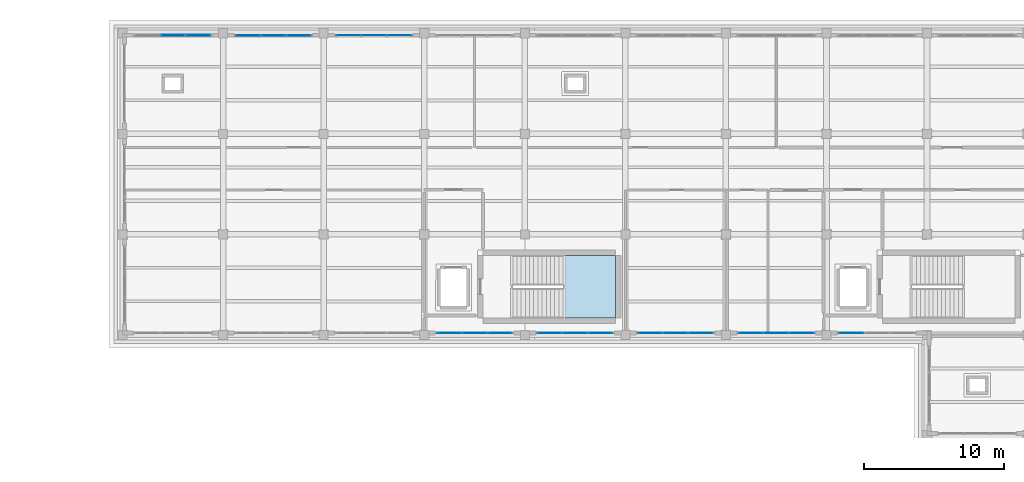
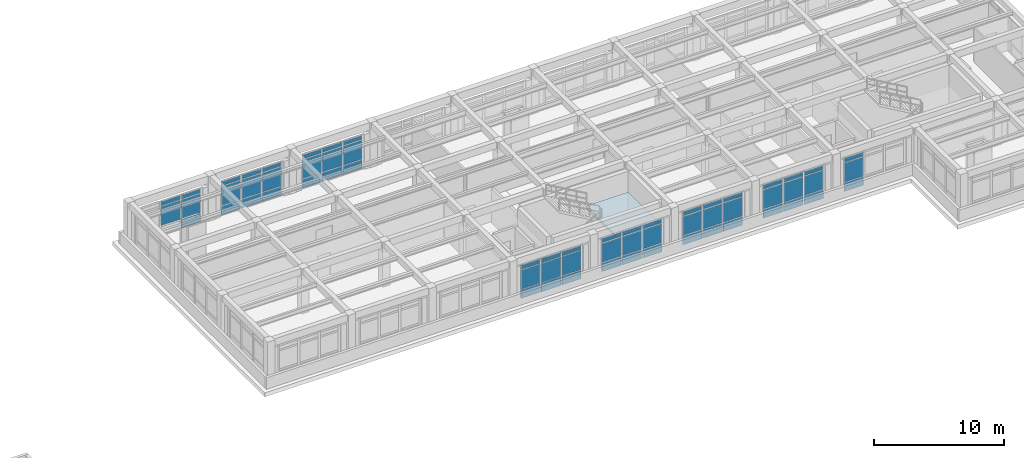
# One storey, part 39 of 55: 62 plates, 1 slab, 9 elements without a shape of their own.
"""IFC4 building model written with IfcOpenShell, lengths in metres."""

from ifc_helpers import new_model, si_unit, direction, frame, origin, origin_2d, place, context, subcontext, project, spatial, polyline, rectangle, outline, extrude, material, layer, layer_set, type_object, element, aggregate, save


model = new_model("IFC4")

# Units and contexts
model_context = context("Model", 3, precision=1e-05, world=origin(), true_north=direction((0.0, 1.0)))
body_context = subcontext(model_context, "Body", "Model", "MODEL_VIEW")
ifc_project = project(units=[si_unit("LENGTHUNIT", "METRE"), si_unit("AREAUNIT", "SQUARE_METRE"), si_unit("VOLUMEUNIT", "CUBIC_METRE"), si_unit("PLANEANGLEUNIT", "RADIAN"), si_unit("MASSUNIT", "GRAM", prefix="KILO")], contexts=[model_context])

# Site, building, storey
site_placement = place(None, origin())
site = spatial("IfcSite", under=ifc_project, at=site_placement, CompositionType="ELEMENT")
building_placement = place(site_placement, origin())
building = spatial("IfcBuilding", under=site, at=building_placement, Name="Solenvale Faculty of Natural Sciences", CompositionType="ELEMENT")
storey_placement = place(building_placement, frame((0.0, 0.0, 22.5)))
storey = spatial("IfcBuildingStorey", under=building, at=storey_placement, Name="L05", CompositionType="ELEMENT", Elevation=22.5)

# Curtain wall, plates
ifc_material_1 = material(Name="Anodised bronze aluminium", Category="aluminium")
ifc_layer_1 = layer(ifc_material_1, 0.179931640625)
ifc_layer_set_1 = layer_set([ifc_layer_1], Name="Anodised bronze aluminium")
curtain_wall_type = type_object("IfcCurtainWallType", Name="CW-TWR-MOD", PredefinedType="USERDEFINED", material=ifc_layer_set_1)
curtain_wall_1_placement = place(storey_placement, origin())
curtain_wall_1 = element("IfcCurtainWall", 1, at=curtain_wall_1_placement, inside=storey, type_object=curtain_wall_type, Name="L05 Curtain Wall CW-L05-P2-E5-B5", ObjectType="UNITISED CURTAIN WALL", PredefinedType="USERDEFINED")
ifc_material_2 = material(Name="North-light skylight glass", Category="glass")
ifc_layer_2 = layer(ifc_material_2, 0.028076171875)
ifc_layer_set_2 = layer_set([ifc_layer_2], Name="North-light skylight glass")
plate_type_1 = type_object("IfcPlateType", Name="CWP-PNL-28", PredefinedType="CURTAIN_PANEL", material=ifc_layer_set_2)
plate_1_placement = place(storey_placement, frame((109.785400390625, 93.742431640625, 0.074951171875), z_axis=(0.0, 0.0, 1.0), x_axis=(1.0, 0.0, 0.0)))
plate_1 = element("IfcPlate", 2, at=plate_1_placement, type_object=plate_type_1, Name="CW-04 panel 1.1", PredefinedType="CURTAIN_PANEL", context=body_context, shape_type="SweptSolid", body=[
    extrude(rectangle(XDim=1.720947265625, YDim=0.028076171875, at=origin_2d()), origin(), (0.0, 0.0, 1.0), 0.78759765625),
])
plate_2_placement = place(storey_placement, frame((109.785400390625, 93.742431640625, 0.9375), z_axis=(0.0, 0.0, 1.0), x_axis=(1.0, 0.0, 0.0)))
plate_2 = element("IfcPlate", 3, at=plate_2_placement, type_object=plate_type_1, Name="CW-04 panel 1.2", PredefinedType="CURTAIN_PANEL", context=body_context, shape_type="SweptSolid", body=[
    extrude(rectangle(XDim=1.720947265625, YDim=0.028076171875, at=origin_2d()), origin(), (0.0, 0.0, 1.0), 1.784912109375),
])
plate_3_placement = place(storey_placement, frame((109.785400390625, 93.742431640625, 2.79736328125), z_axis=(0.0, 0.0, 1.0), x_axis=(1.0, 0.0, 0.0)))
plate_3 = element("IfcPlate", 4, at=plate_3_placement, type_object=plate_type_1, Name="CW-04 panel 1.3", PredefinedType="CURTAIN_PANEL", context=body_context, shape_type="SweptSolid", body=[
    extrude(rectangle(XDim=1.720947265625, YDim=0.028076171875, at=origin_2d()), origin(), (0.0, 0.0, 1.0), 0.387451171875),
])
plate_4_placement = place(storey_placement, frame((111.60009765625, 93.742431640625, 0.074951171875), z_axis=(0.0, 0.0, 1.0), x_axis=(1.0, 0.0, 0.0)))
plate_4 = element("IfcPlate", 5, at=plate_4_placement, type_object=plate_type_1, Name="CW-04 panel 2.1", PredefinedType="CURTAIN_PANEL", context=body_context, shape_type="SweptSolid", body=[
    extrude(rectangle(XDim=1.75830078125, YDim=0.028076171875, at=origin_2d()), origin(), (0.0, 0.0, 1.0), 0.78759765625),
])
plate_5_placement = place(storey_placement, frame((111.60009765625, 93.742431640625, 0.9375), z_axis=(0.0, 0.0, 1.0), x_axis=(1.0, 0.0, 0.0)))
plate_5 = element("IfcPlate", 6, at=plate_5_placement, type_object=plate_type_1, Name="CW-04 panel 2.2", PredefinedType="CURTAIN_PANEL", context=body_context, shape_type="SweptSolid", body=[
    extrude(rectangle(XDim=1.75830078125, YDim=0.028076171875, at=origin_2d()), origin(), (0.0, 0.0, 1.0), 1.784912109375),
])
plate_6_placement = place(storey_placement, frame((111.60009765625, 93.742431640625, 2.79736328125), z_axis=(0.0, 0.0, 1.0), x_axis=(1.0, 0.0, 0.0)))
plate_6 = element("IfcPlate", 7, at=plate_6_placement, type_object=plate_type_1, Name="CW-04 panel 2.3", PredefinedType="CURTAIN_PANEL", context=body_context, shape_type="SweptSolid", body=[
    extrude(rectangle(XDim=1.75830078125, YDim=0.028076171875, at=origin_2d()), origin(), (0.0, 0.0, 1.0), 0.387451171875),
])
plate_7_placement = place(storey_placement, frame((113.41455078125, 93.742431640625, 0.074951171875), z_axis=(0.0, 0.0, 1.0), x_axis=(1.0, 0.0, 0.0)))
plate_7 = element("IfcPlate", 8, at=plate_7_placement, type_object=plate_type_1, Name="CW-04 panel 3.1", PredefinedType="CURTAIN_PANEL", context=body_context, shape_type="SweptSolid", body=[
    extrude(rectangle(XDim=1.720947265625, YDim=0.028076171875, at=origin_2d()), origin(), (0.0, 0.0, 1.0), 0.78759765625),
])
plate_8_placement = place(storey_placement, frame((113.41455078125, 93.742431640625, 0.9375), z_axis=(0.0, 0.0, 1.0), x_axis=(1.0, 0.0, 0.0)))
plate_8 = element("IfcPlate", 9, at=plate_8_placement, type_object=plate_type_1, Name="CW-04 panel 3.2", PredefinedType="CURTAIN_PANEL", context=body_context, shape_type="SweptSolid", body=[
    extrude(rectangle(XDim=1.720947265625, YDim=0.028076171875, at=origin_2d()), origin(), (0.0, 0.0, 1.0), 1.784912109375),
])
plate_9_placement = place(storey_placement, frame((113.41455078125, 93.742431640625, 2.79736328125), z_axis=(0.0, 0.0, 1.0), x_axis=(1.0, 0.0, 0.0)))
plate_9 = element("IfcPlate", 10, at=plate_9_placement, type_object=plate_type_1, Name="CW-04 panel 3.3", PredefinedType="CURTAIN_PANEL", context=body_context, shape_type="SweptSolid", body=[
    extrude(rectangle(XDim=1.720947265625, YDim=0.028076171875, at=origin_2d()), origin(), (0.0, 0.0, 1.0), 0.387451171875),
])
aggregate(curtain_wall_1, [plate_1, plate_2, plate_3, plate_4, plate_5, plate_6, plate_7, plate_8, plate_9])

curtain_wall_2_placement = place(storey_placement, origin())
curtain_wall_2 = element("IfcCurtainWall", 11, at=curtain_wall_2_placement, inside=storey, type_object=curtain_wall_type, Name="L05 Curtain Wall CW-L05-P2-E3-B8", ObjectType="UNITISED CURTAIN WALL", PredefinedType="USERDEFINED")
ifc_material_3 = material(Name="Triple low-E insulated glass", Category="glass")
ifc_layer_3 = layer(ifc_material_3, 0.031982421875)
ifc_layer_set_3 = layer_set([ifc_layer_3], Name="Triple low-E insulated glass")
plate_type_2 = type_object("IfcPlateType", Name="CWP-PNL-32", PredefinedType="CURTAIN_PANEL", material=ifc_layer_set_3)
plate_10_placement = place(storey_placement, frame((99.0146484375, 115.0576171875, 0.074951171875), z_axis=(0.0, 0.0, 1.0), x_axis=(-1.0, 0.0, 0.0)))
plate_10 = element("IfcPlate", 12, at=plate_10_placement, type_object=plate_type_2, Name="CW-04 panel 1.1", PredefinedType="CURTAIN_PANEL", context=body_context, shape_type="SweptSolid", body=[
    extrude(rectangle(XDim=1.720947265625, YDim=0.031982421875, at=origin_2d()), origin(), (0.0, 0.0, 1.0), 0.78759765625),
])
plate_11_placement = place(storey_placement, frame((99.0146484375, 115.0576171875, 0.9375), z_axis=(0.0, 0.0, 1.0), x_axis=(-1.0, 0.0, 0.0)))
plate_11 = element("IfcPlate", 13, at=plate_11_placement, type_object=plate_type_2, Name="CW-04 panel 1.2", PredefinedType="CURTAIN_PANEL", context=body_context, shape_type="SweptSolid", body=[
    extrude(rectangle(XDim=1.720947265625, YDim=0.031982421875, at=origin_2d()), origin(), (0.0, 0.0, 1.0), 1.784912109375),
])
plate_12_placement = place(storey_placement, frame((99.0146484375, 115.0576171875, 2.79736328125), z_axis=(0.0, 0.0, 1.0), x_axis=(-1.0, 0.0, 0.0)))
plate_12 = element("IfcPlate", 14, at=plate_12_placement, type_object=plate_type_2, Name="CW-04 panel 1.3", PredefinedType="CURTAIN_PANEL", context=body_context, shape_type="SweptSolid", body=[
    extrude(rectangle(XDim=1.720947265625, YDim=0.031982421875, at=origin_2d()), origin(), (0.0, 0.0, 1.0), 0.387451171875),
])
plate_13_placement = place(storey_placement, frame((97.199951171875, 115.0576171875, 0.074951171875), z_axis=(0.0, 0.0, 1.0), x_axis=(-1.0, 0.0, 0.0)))
plate_13 = element("IfcPlate", 15, at=plate_13_placement, type_object=plate_type_2, Name="CW-04 panel 2.1", PredefinedType="CURTAIN_PANEL", context=body_context, shape_type="SweptSolid", body=[
    extrude(rectangle(XDim=1.75830078125, YDim=0.031982421875, at=origin_2d()), origin(), (0.0, 0.0, 1.0), 0.78759765625),
])
plate_14_placement = place(storey_placement, frame((97.199951171875, 115.0576171875, 0.9375), z_axis=(0.0, 0.0, 1.0), x_axis=(-1.0, 0.0, 0.0)))
plate_14 = element("IfcPlate", 16, at=plate_14_placement, type_object=plate_type_2, Name="CW-04 panel 2.2", PredefinedType="CURTAIN_PANEL", context=body_context, shape_type="SweptSolid", body=[
    extrude(rectangle(XDim=1.75830078125, YDim=0.031982421875, at=origin_2d()), origin(), (0.0, 0.0, 1.0), 1.784912109375),
])
plate_15_placement = place(storey_placement, frame((97.199951171875, 115.0576171875, 2.79736328125), z_axis=(0.0, 0.0, 1.0), x_axis=(-1.0, 0.0, 0.0)))
plate_15 = element("IfcPlate", 17, at=plate_15_placement, type_object=plate_type_2, Name="CW-04 panel 2.3", PredefinedType="CURTAIN_PANEL", context=body_context, shape_type="SweptSolid", body=[
    extrude(rectangle(XDim=1.75830078125, YDim=0.031982421875, at=origin_2d()), origin(), (0.0, 0.0, 1.0), 0.387451171875),
])
plate_16_placement = place(storey_placement, frame((95.385498046875, 115.0576171875, 0.074951171875), z_axis=(0.0, 0.0, 1.0), x_axis=(-1.0, 0.0, 0.0)))
plate_16 = element("IfcPlate", 18, at=plate_16_placement, type_object=plate_type_2, Name="CW-04 panel 3.1", PredefinedType="CURTAIN_PANEL", context=body_context, shape_type="SweptSolid", body=[
    extrude(rectangle(XDim=1.720947265625, YDim=0.031982421875, at=origin_2d()), origin(), (0.0, 0.0, 1.0), 0.78759765625),
])
plate_17_placement = place(storey_placement, frame((95.385498046875, 115.0576171875, 0.9375), z_axis=(0.0, 0.0, 1.0), x_axis=(-1.0, 0.0, 0.0)))
plate_17 = element("IfcPlate", 19, at=plate_17_placement, type_object=plate_type_2, Name="CW-04 panel 3.2", PredefinedType="CURTAIN_PANEL", context=body_context, shape_type="SweptSolid", body=[
    extrude(rectangle(XDim=1.720947265625, YDim=0.031982421875, at=origin_2d()), origin(), (0.0, 0.0, 1.0), 1.784912109375),
])
plate_18_placement = place(storey_placement, frame((95.385498046875, 115.0576171875, 2.79736328125), z_axis=(0.0, 0.0, 1.0), x_axis=(-1.0, 0.0, 0.0)))
plate_18 = element("IfcPlate", 20, at=plate_18_placement, type_object=plate_type_2, Name="CW-04 panel 3.3", PredefinedType="CURTAIN_PANEL", context=body_context, shape_type="SweptSolid", body=[
    extrude(rectangle(XDim=1.720947265625, YDim=0.031982421875, at=origin_2d()), origin(), (0.0, 0.0, 1.0), 0.387451171875),
])
aggregate(curtain_wall_2, [plate_10, plate_11, plate_12, plate_13, plate_14, plate_15, plate_16, plate_17, plate_18])

curtain_wall_3_placement = place(storey_placement, origin())
curtain_wall_3 = element("IfcCurtainWall", 21, at=curtain_wall_3_placement, inside=storey, type_object=curtain_wall_type, Name="L05 Curtain Wall CW-L05-P2-E5-B6", ObjectType="UNITISED CURTAIN WALL", PredefinedType="USERDEFINED")
plate_19_placement = place(storey_placement, frame((116.9853515625, 93.742431640625, 0.074951171875), z_axis=(0.0, 0.0, 1.0), x_axis=(1.0, 0.0, 0.0)))
plate_19 = element("IfcPlate", 22, at=plate_19_placement, type_object=plate_type_2, Name="CW-04 panel 1.1", PredefinedType="CURTAIN_PANEL", context=body_context, shape_type="SweptSolid", body=[
    extrude(rectangle(XDim=1.720947265625, YDim=0.031982421875, at=origin_2d()), origin(), (0.0, 0.0, 1.0), 0.78759765625),
])
plate_20_placement = place(storey_placement, frame((116.9853515625, 93.742431640625, 0.9375), z_axis=(0.0, 0.0, 1.0), x_axis=(1.0, 0.0, 0.0)))
plate_20 = element("IfcPlate", 23, at=plate_20_placement, type_object=plate_type_2, Name="CW-04 panel 1.2", PredefinedType="CURTAIN_PANEL", context=body_context, shape_type="SweptSolid", body=[
    extrude(rectangle(XDim=1.720947265625, YDim=0.031982421875, at=origin_2d()), origin(), (0.0, 0.0, 1.0), 1.784912109375),
])
plate_21_placement = place(storey_placement, frame((116.9853515625, 93.742431640625, 2.79736328125), z_axis=(0.0, 0.0, 1.0), x_axis=(1.0, 0.0, 0.0)))
plate_21 = element("IfcPlate", 24, at=plate_21_placement, type_object=plate_type_2, Name="CW-04 panel 1.3", PredefinedType="CURTAIN_PANEL", context=body_context, shape_type="SweptSolid", body=[
    extrude(rectangle(XDim=1.720947265625, YDim=0.031982421875, at=origin_2d()), origin(), (0.0, 0.0, 1.0), 0.387451171875),
])
plate_22_placement = place(storey_placement, frame((118.800048828125, 93.742431640625, 0.074951171875), z_axis=(0.0, 0.0, 1.0), x_axis=(1.0, 0.0, 0.0)))
plate_22 = element("IfcPlate", 25, at=plate_22_placement, type_object=plate_type_2, Name="CW-04 panel 2.1", PredefinedType="CURTAIN_PANEL", context=body_context, shape_type="SweptSolid", body=[
    extrude(rectangle(XDim=1.75830078125, YDim=0.031982421875, at=origin_2d()), origin(), (0.0, 0.0, 1.0), 0.78759765625),
])
plate_23_placement = place(storey_placement, frame((118.800048828125, 93.742431640625, 0.9375), z_axis=(0.0, 0.0, 1.0), x_axis=(1.0, 0.0, 0.0)))
plate_23 = element("IfcPlate", 26, at=plate_23_placement, type_object=plate_type_2, Name="CW-04 panel 2.2", PredefinedType="CURTAIN_PANEL", context=body_context, shape_type="SweptSolid", body=[
    extrude(rectangle(XDim=1.75830078125, YDim=0.031982421875, at=origin_2d()), origin(), (0.0, 0.0, 1.0), 1.784912109375),
])
plate_24_placement = place(storey_placement, frame((118.800048828125, 93.742431640625, 2.79736328125), z_axis=(0.0, 0.0, 1.0), x_axis=(1.0, 0.0, 0.0)))
plate_24 = element("IfcPlate", 27, at=plate_24_placement, type_object=plate_type_2, Name="CW-04 panel 2.3", PredefinedType="CURTAIN_PANEL", context=body_context, shape_type="SweptSolid", body=[
    extrude(rectangle(XDim=1.75830078125, YDim=0.031982421875, at=origin_2d()), origin(), (0.0, 0.0, 1.0), 0.387451171875),
])
plate_25_placement = place(storey_placement, frame((120.614501953125, 93.742431640625, 0.074951171875), z_axis=(0.0, 0.0, 1.0), x_axis=(1.0, 0.0, 0.0)))
plate_25 = element("IfcPlate", 28, at=plate_25_placement, type_object=plate_type_2, Name="CW-04 panel 3.1", PredefinedType="CURTAIN_PANEL", context=body_context, shape_type="SweptSolid", body=[
    extrude(rectangle(XDim=1.720947265625, YDim=0.031982421875, at=origin_2d()), origin(), (0.0, 0.0, 1.0), 0.78759765625),
])
plate_26_placement = place(storey_placement, frame((120.614501953125, 93.742431640625, 0.9375), z_axis=(0.0, 0.0, 1.0), x_axis=(1.0, 0.0, 0.0)))
plate_26 = element("IfcPlate", 29, at=plate_26_placement, type_object=plate_type_2, Name="CW-04 panel 3.2", PredefinedType="CURTAIN_PANEL", context=body_context, shape_type="SweptSolid", body=[
    extrude(rectangle(XDim=1.720947265625, YDim=0.031982421875, at=origin_2d()), origin(), (0.0, 0.0, 1.0), 1.784912109375),
])
plate_27_placement = place(storey_placement, frame((120.614501953125, 93.742431640625, 2.79736328125), z_axis=(0.0, 0.0, 1.0), x_axis=(1.0, 0.0, 0.0)))
plate_27 = element("IfcPlate", 30, at=plate_27_placement, type_object=plate_type_2, Name="CW-04 panel 3.3", PredefinedType="CURTAIN_PANEL", context=body_context, shape_type="SweptSolid", body=[
    extrude(rectangle(XDim=1.720947265625, YDim=0.031982421875, at=origin_2d()), origin(), (0.0, 0.0, 1.0), 0.387451171875),
])
aggregate(curtain_wall_3, [plate_19, plate_20, plate_21, plate_22, plate_23, plate_24, plate_25, plate_26, plate_27])

curtain_wall_4_placement = place(storey_placement, origin())
curtain_wall_4 = element("IfcCurtainWall", 31, at=curtain_wall_4_placement, inside=storey, type_object=curtain_wall_type, Name="L05 Curtain Wall CW-L05-P2-E3-B9", ObjectType="UNITISED CURTAIN WALL", PredefinedType="USERDEFINED")
ifc_layer_4 = layer(ifc_material_3, 0.035888671875)
ifc_layer_set_4 = layer_set([ifc_layer_4], Name="Triple low-E insulated glass")
plate_type_3 = type_object("IfcPlateType", Name="CWP-PNL-36", PredefinedType="CURTAIN_PANEL", material=ifc_layer_set_4)
plate_28_placement = place(storey_placement, frame((91.814697265625, 115.0576171875, 0.074951171875), z_axis=(0.0, 0.0, 1.0), x_axis=(-1.0, 0.0, 0.0)))
plate_28 = element("IfcPlate", 32, at=plate_28_placement, type_object=plate_type_3, Name="CW-04 panel 1.1", PredefinedType="CURTAIN_PANEL", context=body_context, shape_type="SweptSolid", body=[
    extrude(rectangle(XDim=1.720947265625, YDim=0.035888671875, at=origin_2d()), origin(), (0.0, 0.0, 1.0), 0.78759765625),
])
plate_29_placement = place(storey_placement, frame((91.814697265625, 115.0576171875, 0.9375), z_axis=(0.0, 0.0, 1.0), x_axis=(-1.0, 0.0, 0.0)))
plate_29 = element("IfcPlate", 33, at=plate_29_placement, type_object=plate_type_3, Name="CW-04 panel 1.2", PredefinedType="CURTAIN_PANEL", context=body_context, shape_type="SweptSolid", body=[
    extrude(rectangle(XDim=1.720947265625, YDim=0.035888671875, at=origin_2d()), origin(), (0.0, 0.0, 1.0), 1.784912109375),
])
plate_30_placement = place(storey_placement, frame((91.814697265625, 115.0576171875, 2.79736328125), z_axis=(0.0, 0.0, 1.0), x_axis=(-1.0, 0.0, 0.0)))
plate_30 = element("IfcPlate", 34, at=plate_30_placement, type_object=plate_type_3, Name="CW-04 panel 1.3", PredefinedType="CURTAIN_PANEL", context=body_context, shape_type="SweptSolid", body=[
    extrude(rectangle(XDim=1.720947265625, YDim=0.035888671875, at=origin_2d()), origin(), (0.0, 0.0, 1.0), 0.387451171875),
])
plate_31_placement = place(storey_placement, frame((90.0, 115.0576171875, 0.074951171875), z_axis=(0.0, 0.0, 1.0), x_axis=(-1.0, 0.0, 0.0)))
plate_31 = element("IfcPlate", 35, at=plate_31_placement, type_object=plate_type_3, Name="CW-04 panel 2.1", PredefinedType="CURTAIN_PANEL", context=body_context, shape_type="SweptSolid", body=[
    extrude(rectangle(XDim=1.75830078125, YDim=0.035888671875, at=origin_2d()), origin(), (0.0, 0.0, 1.0), 0.78759765625),
])
plate_32_placement = place(storey_placement, frame((90.0, 115.0576171875, 0.9375), z_axis=(0.0, 0.0, 1.0), x_axis=(-1.0, 0.0, 0.0)))
plate_32 = element("IfcPlate", 36, at=plate_32_placement, type_object=plate_type_3, Name="CW-04 panel 2.2", PredefinedType="CURTAIN_PANEL", context=body_context, shape_type="SweptSolid", body=[
    extrude(rectangle(XDim=1.75830078125, YDim=0.035888671875, at=origin_2d()), origin(), (0.0, 0.0, 1.0), 1.784912109375),
])
plate_33_placement = place(storey_placement, frame((90.0, 115.0576171875, 2.79736328125), z_axis=(0.0, 0.0, 1.0), x_axis=(-1.0, 0.0, 0.0)))
plate_33 = element("IfcPlate", 37, at=plate_33_placement, type_object=plate_type_3, Name="CW-04 panel 2.3", PredefinedType="CURTAIN_PANEL", context=body_context, shape_type="SweptSolid", body=[
    extrude(rectangle(XDim=1.75830078125, YDim=0.035888671875, at=origin_2d()), origin(), (0.0, 0.0, 1.0), 0.387451171875),
])
plate_34_placement = place(storey_placement, frame((88.185302734375, 115.0576171875, 0.074951171875), z_axis=(0.0, 0.0, 1.0), x_axis=(-1.0, 0.0, 0.0)))
plate_34 = element("IfcPlate", 38, at=plate_34_placement, type_object=plate_type_3, Name="CW-04 panel 3.1", PredefinedType="CURTAIN_PANEL", context=body_context, shape_type="SweptSolid", body=[
    extrude(rectangle(XDim=1.720947265625, YDim=0.035888671875, at=origin_2d()), origin(), (0.0, 0.0, 1.0), 0.78759765625),
])
plate_35_placement = place(storey_placement, frame((88.185302734375, 115.0576171875, 0.9375), z_axis=(0.0, 0.0, 1.0), x_axis=(-1.0, 0.0, 0.0)))
plate_35 = element("IfcPlate", 39, at=plate_35_placement, type_object=plate_type_3, Name="CW-04 panel 3.2", PredefinedType="CURTAIN_PANEL", context=body_context, shape_type="SweptSolid", body=[
    extrude(rectangle(XDim=1.720947265625, YDim=0.035888671875, at=origin_2d()), origin(), (0.0, 0.0, 1.0), 1.784912109375),
])
plate_36_placement = place(storey_placement, frame((88.185302734375, 115.0576171875, 2.79736328125), z_axis=(0.0, 0.0, 1.0), x_axis=(-1.0, 0.0, 0.0)))
plate_36 = element("IfcPlate", 40, at=plate_36_placement, type_object=plate_type_3, Name="CW-04 panel 3.3", PredefinedType="CURTAIN_PANEL", context=body_context, shape_type="SweptSolid", body=[
    extrude(rectangle(XDim=1.720947265625, YDim=0.035888671875, at=origin_2d()), origin(), (0.0, 0.0, 1.0), 0.387451171875),
])
aggregate(curtain_wall_4, [plate_28, plate_29, plate_30, plate_31, plate_32, plate_33, plate_34, plate_35, plate_36])

curtain_wall_5_placement = place(storey_placement, origin())
curtain_wall_5 = element("IfcCurtainWall", 41, at=curtain_wall_5_placement, inside=storey, type_object=curtain_wall_type, Name="L05 Curtain Wall CW-L05-P2-E5-B7", ObjectType="UNITISED CURTAIN WALL", PredefinedType="USERDEFINED")
plate_37_placement = place(storey_placement, frame((124.185302734375, 93.742431640625, 0.074951171875), z_axis=(0.0, 0.0, 1.0), x_axis=(1.0, 0.0, 0.0)))
plate_37 = element("IfcPlate", 42, at=plate_37_placement, type_object=plate_type_3, Name="CW-04 panel 1.1", PredefinedType="CURTAIN_PANEL", context=body_context, shape_type="SweptSolid", body=[
    extrude(rectangle(XDim=1.720947265625, YDim=0.035888671875, at=origin_2d()), origin(), (0.0, 0.0, 1.0), 0.78759765625),
])
plate_38_placement = place(storey_placement, frame((124.185302734375, 93.742431640625, 0.9375), z_axis=(0.0, 0.0, 1.0), x_axis=(1.0, 0.0, 0.0)))
plate_38 = element("IfcPlate", 43, at=plate_38_placement, type_object=plate_type_3, Name="CW-04 panel 1.2", PredefinedType="CURTAIN_PANEL", context=body_context, shape_type="SweptSolid", body=[
    extrude(rectangle(XDim=1.720947265625, YDim=0.035888671875, at=origin_2d()), origin(), (0.0, 0.0, 1.0), 1.784912109375),
])
plate_39_placement = place(storey_placement, frame((124.185302734375, 93.742431640625, 2.79736328125), z_axis=(0.0, 0.0, 1.0), x_axis=(1.0, 0.0, 0.0)))
plate_39 = element("IfcPlate", 44, at=plate_39_placement, type_object=plate_type_3, Name="CW-04 panel 1.3", PredefinedType="CURTAIN_PANEL", context=body_context, shape_type="SweptSolid", body=[
    extrude(rectangle(XDim=1.720947265625, YDim=0.035888671875, at=origin_2d()), origin(), (0.0, 0.0, 1.0), 0.387451171875),
])
plate_40_placement = place(storey_placement, frame((126.0, 93.742431640625, 0.074951171875), z_axis=(0.0, 0.0, 1.0), x_axis=(1.0, 0.0, 0.0)))
plate_40 = element("IfcPlate", 45, at=plate_40_placement, type_object=plate_type_3, Name="CW-04 panel 2.1", PredefinedType="CURTAIN_PANEL", context=body_context, shape_type="SweptSolid", body=[
    extrude(rectangle(XDim=1.75830078125, YDim=0.035888671875, at=origin_2d()), origin(), (0.0, 0.0, 1.0), 0.78759765625),
])
plate_41_placement = place(storey_placement, frame((126.0, 93.742431640625, 0.9375), z_axis=(0.0, 0.0, 1.0), x_axis=(1.0, 0.0, 0.0)))
plate_41 = element("IfcPlate", 46, at=plate_41_placement, type_object=plate_type_3, Name="CW-04 panel 2.2", PredefinedType="CURTAIN_PANEL", context=body_context, shape_type="SweptSolid", body=[
    extrude(rectangle(XDim=1.75830078125, YDim=0.035888671875, at=origin_2d()), origin(), (0.0, 0.0, 1.0), 1.784912109375),
])
plate_42_placement = place(storey_placement, frame((126.0, 93.742431640625, 2.79736328125), z_axis=(0.0, 0.0, 1.0), x_axis=(1.0, 0.0, 0.0)))
plate_42 = element("IfcPlate", 47, at=plate_42_placement, type_object=plate_type_3, Name="CW-04 panel 2.3", PredefinedType="CURTAIN_PANEL", context=body_context, shape_type="SweptSolid", body=[
    extrude(rectangle(XDim=1.75830078125, YDim=0.035888671875, at=origin_2d()), origin(), (0.0, 0.0, 1.0), 0.387451171875),
])
plate_43_placement = place(storey_placement, frame((127.814697265625, 93.742431640625, 0.074951171875), z_axis=(0.0, 0.0, 1.0), x_axis=(1.0, 0.0, 0.0)))
plate_43 = element("IfcPlate", 48, at=plate_43_placement, type_object=plate_type_3, Name="CW-04 panel 3.1", PredefinedType="CURTAIN_PANEL", context=body_context, shape_type="SweptSolid", body=[
    extrude(rectangle(XDim=1.720947265625, YDim=0.035888671875, at=origin_2d()), origin(), (0.0, 0.0, 1.0), 0.78759765625),
])
plate_44_placement = place(storey_placement, frame((127.814697265625, 93.742431640625, 0.9375), z_axis=(0.0, 0.0, 1.0), x_axis=(1.0, 0.0, 0.0)))
plate_44 = element("IfcPlate", 49, at=plate_44_placement, type_object=plate_type_3, Name="CW-04 panel 3.2", PredefinedType="CURTAIN_PANEL", context=body_context, shape_type="SweptSolid", body=[
    extrude(rectangle(XDim=1.720947265625, YDim=0.035888671875, at=origin_2d()), origin(), (0.0, 0.0, 1.0), 1.784912109375),
])
plate_45_placement = place(storey_placement, frame((127.814697265625, 93.742431640625, 2.79736328125), z_axis=(0.0, 0.0, 1.0), x_axis=(1.0, 0.0, 0.0)))
plate_45 = element("IfcPlate", 50, at=plate_45_placement, type_object=plate_type_3, Name="CW-04 panel 3.3", PredefinedType="CURTAIN_PANEL", context=body_context, shape_type="SweptSolid", body=[
    extrude(rectangle(XDim=1.720947265625, YDim=0.035888671875, at=origin_2d()), origin(), (0.0, 0.0, 1.0), 0.387451171875),
])
aggregate(curtain_wall_5, [plate_37, plate_38, plate_39, plate_40, plate_41, plate_42, plate_43, plate_44, plate_45])

curtain_wall_6_placement = place(storey_placement, origin())
curtain_wall_6 = element("IfcCurtainWall", 51, at=curtain_wall_6_placement, inside=storey, type_object=curtain_wall_type, Name="L05 Curtain Wall CW-L05-P2-E3-B10", ObjectType="UNITISED CURTAIN WALL", PredefinedType="USERDEFINED")
ifc_layer_5 = layer(ifc_material_3, 0.0400390625)
ifc_layer_set_5 = layer_set([ifc_layer_5], Name="Triple low-E insulated glass")
plate_type_4 = type_object("IfcPlateType", Name="CWP-PNL-40", PredefinedType="CURTAIN_PANEL", material=ifc_layer_set_5)
plate_46_placement = place(storey_placement, frame((84.614501953125, 115.0576171875, 0.074951171875), z_axis=(0.0, 0.0, 1.0), x_axis=(-1.0, 0.0, 0.0)))
plate_46 = element("IfcPlate", 52, at=plate_46_placement, type_object=plate_type_4, Name="CW-04 panel 1.1", PredefinedType="CURTAIN_PANEL", context=body_context, shape_type="SweptSolid", body=[
    extrude(rectangle(XDim=1.720947265625, YDim=0.0400390625, at=origin_2d()), origin(), (0.0, 0.0, 1.0), 0.78759765625),
])
plate_47_placement = place(storey_placement, frame((84.614501953125, 115.0576171875, 0.9375), z_axis=(0.0, 0.0, 1.0), x_axis=(-1.0, 0.0, 0.0)))
plate_47 = element("IfcPlate", 53, at=plate_47_placement, type_object=plate_type_4, Name="CW-04 panel 1.2", PredefinedType="CURTAIN_PANEL", context=body_context, shape_type="SweptSolid", body=[
    extrude(rectangle(XDim=1.720947265625, YDim=0.0400390625, at=origin_2d()), origin(), (0.0, 0.0, 1.0), 1.784912109375),
])
plate_48_placement = place(storey_placement, frame((84.614501953125, 115.0576171875, 2.79736328125), z_axis=(0.0, 0.0, 1.0), x_axis=(-1.0, 0.0, 0.0)))
plate_48 = element("IfcPlate", 54, at=plate_48_placement, type_object=plate_type_4, Name="CW-04 panel 1.3", PredefinedType="CURTAIN_PANEL", context=body_context, shape_type="SweptSolid", body=[
    extrude(rectangle(XDim=1.720947265625, YDim=0.0400390625, at=origin_2d()), origin(), (0.0, 0.0, 1.0), 0.387451171875),
])
plate_49_placement = place(storey_placement, frame((82.800048828125, 115.0576171875, 0.9375), z_axis=(0.0, 0.0, 1.0), x_axis=(-1.0, 0.0, 0.0)))
plate_49 = element("IfcPlate", 55, at=plate_49_placement, type_object=plate_type_4, Name="CW-04 panel 2.2", PredefinedType="CURTAIN_PANEL", context=body_context, shape_type="SweptSolid", body=[
    extrude(rectangle(XDim=1.75830078125, YDim=0.0400390625, at=origin_2d()), origin(), (0.0, 0.0, 1.0), 1.784912109375),
])
plate_50_placement = place(storey_placement, frame((82.800048828125, 115.0576171875, 2.79736328125), z_axis=(0.0, 0.0, 1.0), x_axis=(-1.0, 0.0, 0.0)))
plate_50 = element("IfcPlate", 56, at=plate_50_placement, type_object=plate_type_4, Name="CW-04 panel 2.3", PredefinedType="CURTAIN_PANEL", context=body_context, shape_type="SweptSolid", body=[
    extrude(rectangle(XDim=1.75830078125, YDim=0.0400390625, at=origin_2d()), origin(), (0.0, 0.0, 1.0), 0.387451171875),
])
aggregate(curtain_wall_6, [plate_46, plate_47, plate_48, plate_49, plate_50])

curtain_wall_7_placement = place(storey_placement, origin())
curtain_wall_7 = element("IfcCurtainWall", 57, at=curtain_wall_7_placement, inside=storey, type_object=curtain_wall_type, Name="L05 Curtain Wall CW-L05-P2-E5-B8", ObjectType="UNITISED CURTAIN WALL", PredefinedType="USERDEFINED")
plate_51_placement = place(storey_placement, frame((131.385498046875, 93.742431640625, 0.074951171875), z_axis=(0.0, 0.0, 1.0), x_axis=(1.0, 0.0, 0.0)))
plate_51 = element("IfcPlate", 58, at=plate_51_placement, type_object=plate_type_4, Name="CW-04 panel 1.1", PredefinedType="CURTAIN_PANEL", context=body_context, shape_type="SweptSolid", body=[
    extrude(rectangle(XDim=1.720947265625, YDim=0.0400390625, at=origin_2d()), origin(), (0.0, 0.0, 1.0), 0.78759765625),
])
plate_52_placement = place(storey_placement, frame((131.385498046875, 93.742431640625, 0.9375), z_axis=(0.0, 0.0, 1.0), x_axis=(1.0, 0.0, 0.0)))
plate_52 = element("IfcPlate", 59, at=plate_52_placement, type_object=plate_type_4, Name="CW-04 panel 1.2", PredefinedType="CURTAIN_PANEL", context=body_context, shape_type="SweptSolid", body=[
    extrude(rectangle(XDim=1.720947265625, YDim=0.0400390625, at=origin_2d()), origin(), (0.0, 0.0, 1.0), 1.784912109375),
])
plate_53_placement = place(storey_placement, frame((131.385498046875, 93.742431640625, 2.79736328125), z_axis=(0.0, 0.0, 1.0), x_axis=(1.0, 0.0, 0.0)))
plate_53 = element("IfcPlate", 60, at=plate_53_placement, type_object=plate_type_4, Name="CW-04 panel 1.3", PredefinedType="CURTAIN_PANEL", context=body_context, shape_type="SweptSolid", body=[
    extrude(rectangle(XDim=1.720947265625, YDim=0.0400390625, at=origin_2d()), origin(), (0.0, 0.0, 1.0), 0.387451171875),
])
aggregate(curtain_wall_7, [plate_51, plate_52, plate_53])

curtain_wall_8_placement = place(storey_placement, origin())
curtain_wall_8 = element("IfcCurtainWall", 61, at=curtain_wall_8_placement, inside=storey, type_object=curtain_wall_type, Name="L05 Curtain Wall CW-L05-P2-E5-B4", ObjectType="UNITISED CURTAIN WALL", PredefinedType="USERDEFINED")
ifc_layer_6 = layer(ifc_material_1, 0.06005859375)
ifc_layer_set_6 = layer_set([ifc_layer_6], Name="Anodised bronze aluminium")
plate_type_5 = type_object("IfcPlateType", Name="CWP-PNL-60", PredefinedType="CURTAIN_PANEL", material=ifc_layer_set_6)
plate_54_placement = place(storey_placement, frame((102.58544921875, 93.742431640625, 0.074951171875), z_axis=(0.0, 0.0, 1.0), x_axis=(1.0, 0.0, 0.0)))
plate_54 = element("IfcPlate", 62, at=plate_54_placement, type_object=plate_type_5, Name="CW-04 panel 1.1", PredefinedType="CURTAIN_PANEL", context=body_context, shape_type="SweptSolid", body=[
    extrude(rectangle(XDim=1.720947265625, YDim=0.06005859375, at=origin_2d()), origin(), (0.0, 0.0, 1.0), 0.78759765625),
])
plate_55_placement = place(storey_placement, frame((102.58544921875, 93.742431640625, 0.9375), z_axis=(0.0, 0.0, 1.0), x_axis=(1.0, 0.0, 0.0)))
plate_55 = element("IfcPlate", 63, at=plate_55_placement, type_object=plate_type_5, Name="CW-04 panel 1.2", PredefinedType="CURTAIN_PANEL", context=body_context, shape_type="SweptSolid", body=[
    extrude(rectangle(XDim=1.720947265625, YDim=0.06005859375, at=origin_2d()), origin(), (0.0, 0.0, 1.0), 1.784912109375),
])
plate_56_placement = place(storey_placement, frame((102.58544921875, 93.742431640625, 2.79736328125), z_axis=(0.0, 0.0, 1.0), x_axis=(1.0, 0.0, 0.0)))
plate_56 = element("IfcPlate", 64, at=plate_56_placement, type_object=plate_type_5, Name="CW-04 panel 1.3", PredefinedType="CURTAIN_PANEL", context=body_context, shape_type="SweptSolid", body=[
    extrude(rectangle(XDim=1.720947265625, YDim=0.06005859375, at=origin_2d()), origin(), (0.0, 0.0, 1.0), 0.387451171875),
])
plate_57_placement = place(storey_placement, frame((104.39990234375, 93.742431640625, 0.074951171875), z_axis=(0.0, 0.0, 1.0), x_axis=(1.0, 0.0, 0.0)))
plate_57 = element("IfcPlate", 65, at=plate_57_placement, type_object=plate_type_5, Name="CW-04 panel 2.1", PredefinedType="CURTAIN_PANEL", context=body_context, shape_type="SweptSolid", body=[
    extrude(rectangle(XDim=1.75830078125, YDim=0.06005859375, at=origin_2d()), origin(), (0.0, 0.0, 1.0), 0.78759765625),
])
plate_58_placement = place(storey_placement, frame((104.39990234375, 93.742431640625, 0.9375), z_axis=(0.0, 0.0, 1.0), x_axis=(1.0, 0.0, 0.0)))
plate_58 = element("IfcPlate", 66, at=plate_58_placement, type_object=plate_type_5, Name="CW-04 panel 2.2", PredefinedType="CURTAIN_PANEL", context=body_context, shape_type="SweptSolid", body=[
    extrude(rectangle(XDim=1.75830078125, YDim=0.06005859375, at=origin_2d()), origin(), (0.0, 0.0, 1.0), 1.784912109375),
])
plate_59_placement = place(storey_placement, frame((104.39990234375, 93.742431640625, 2.79736328125), z_axis=(0.0, 0.0, 1.0), x_axis=(1.0, 0.0, 0.0)))
plate_59 = element("IfcPlate", 67, at=plate_59_placement, type_object=plate_type_5, Name="CW-04 panel 2.3", PredefinedType="CURTAIN_PANEL", context=body_context, shape_type="SweptSolid", body=[
    extrude(rectangle(XDim=1.75830078125, YDim=0.06005859375, at=origin_2d()), origin(), (0.0, 0.0, 1.0), 0.387451171875),
])
plate_60_placement = place(storey_placement, frame((106.214599609375, 93.742431640625, 0.074951171875), z_axis=(0.0, 0.0, 1.0), x_axis=(1.0, 0.0, 0.0)))
plate_60 = element("IfcPlate", 68, at=plate_60_placement, type_object=plate_type_5, Name="CW-04 panel 3.1", PredefinedType="CURTAIN_PANEL", context=body_context, shape_type="SweptSolid", body=[
    extrude(rectangle(XDim=1.720947265625, YDim=0.06005859375, at=origin_2d()), origin(), (0.0, 0.0, 1.0), 0.78759765625),
])
plate_61_placement = place(storey_placement, frame((106.214599609375, 93.742431640625, 0.9375), z_axis=(0.0, 0.0, 1.0), x_axis=(1.0, 0.0, 0.0)))
plate_61 = element("IfcPlate", 69, at=plate_61_placement, type_object=plate_type_5, Name="CW-04 panel 3.2", PredefinedType="CURTAIN_PANEL", context=body_context, shape_type="SweptSolid", body=[
    extrude(rectangle(XDim=1.720947265625, YDim=0.06005859375, at=origin_2d()), origin(), (0.0, 0.0, 1.0), 1.784912109375),
])
plate_62_placement = place(storey_placement, frame((106.214599609375, 93.742431640625, 2.79736328125), z_axis=(0.0, 0.0, 1.0), x_axis=(1.0, 0.0, 0.0)))
plate_62 = element("IfcPlate", 70, at=plate_62_placement, type_object=plate_type_5, Name="CW-04 panel 3.3", PredefinedType="CURTAIN_PANEL", context=body_context, shape_type="SweptSolid", body=[
    extrude(rectangle(XDim=1.720947265625, YDim=0.06005859375, at=origin_2d()), origin(), (0.0, 0.0, 1.0), 0.387451171875),
])
aggregate(curtain_wall_8, [plate_54, plate_55, plate_56, plate_57, plate_58, plate_59, plate_60, plate_61, plate_62])

# Stair, slab
ifc_material_4 = material(Name="Concrete 40 MPa", Category="concrete")
stair_type = type_object("IfcStairType", Name="STR-CORE-25R", PredefinedType="DOUBLE_RETURN_STAIR", material=ifc_material_4)
stair_placement = place(storey_placement, origin())
stair = element("IfcStair", 71, at=stair_placement, inside=storey, type_object=stair_type, Name="L05 Protected Exit Stair ST-04", PredefinedType="DOUBLE_RETURN_STAIR")
ifc_layer_7 = layer(ifc_material_4, 0.195068359375)
ifc_layer_set_7 = layer_set([ifc_layer_7], Name="Concrete 40 MPa")
slab_type = type_object("IfcSlabType", Name="SL-LND-195", PredefinedType="LANDING", material=ifc_layer_set_7)
slab_placement = place(storey_placement, frame((0.0, 0.0, 2.050048828125)))
slab = element("IfcSlab", 72, at=slab_placement, type_object=slab_type, Name="ST-04 landing 1", PredefinedType="LANDING", context=body_context, shape_type="SweptSolid", body=[
    extrude(outline(polyline([(110.739990234375, 94.800048828125), (114.5, 94.800048828125), (114.5, 99.300048828125), (110.739990234375, 99.300048828125), (110.739990234375, 94.800048828125)])), origin(), (0.0, 0.0, 1.0), 0.199951171875),
])
aggregate(stair, [slab])

save(model, "model.ifc")
